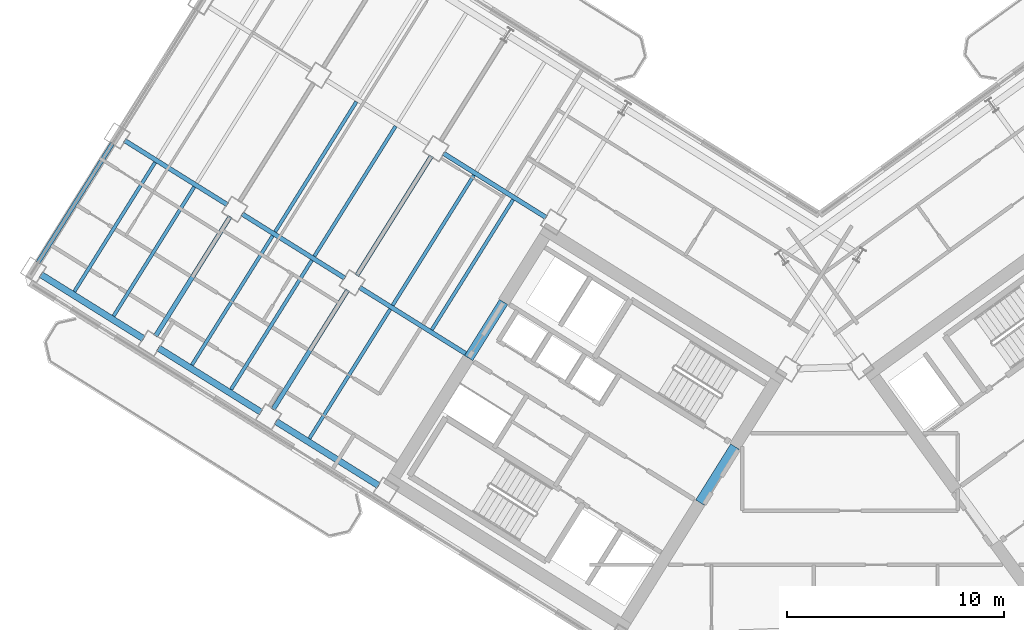
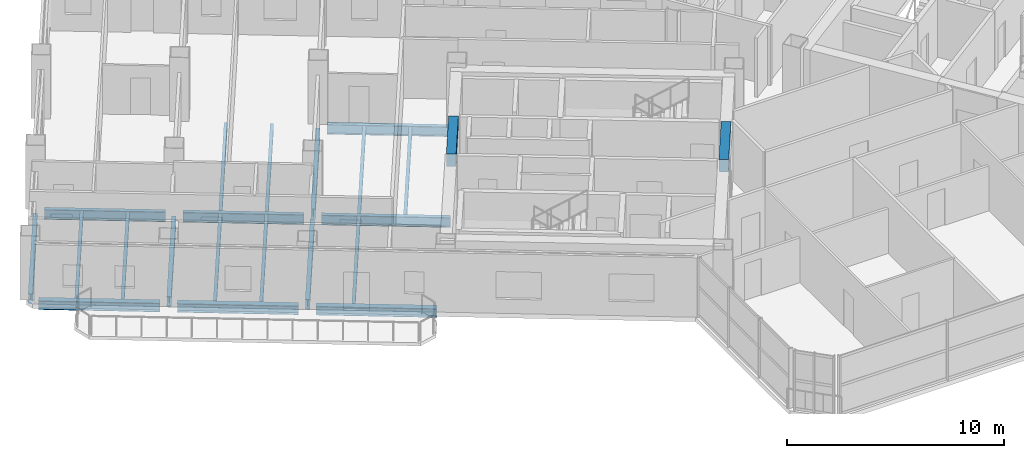
# One storey, part 5 of 21: 22 beams.
"""IFC4 building model written with IfcOpenShell, lengths in metres."""

from ifc_helpers import new_model, si_unit, direction, frame, origin, origin_2d, place, context, subcontext, project, spatial, rectangle, i_section, extrude, source, transform, mapped, material, material_profile, profile_set, type_object, element, save


model = new_model("IFC4")

# Units and contexts
model_context = context("Model", 3, precision=1e-05, world=origin(), true_north=direction((0.0, 1.0)))
body_context = subcontext(model_context, "Body", "Model", "MODEL_VIEW")
ifc_project = project(units=[si_unit("LENGTHUNIT", "METRE"), si_unit("AREAUNIT", "SQUARE_METRE"), si_unit("VOLUMEUNIT", "CUBIC_METRE"), si_unit("PLANEANGLEUNIT", "RADIAN"), si_unit("MASSUNIT", "GRAM", prefix="KILO")], contexts=[model_context])

# Site, building, storey
site_placement = place(None, origin())
site = spatial("IfcSite", under=ifc_project, at=site_placement, CompositionType="ELEMENT")
building_placement = place(site_placement, origin())
building = spatial("IfcBuilding", under=site, at=building_placement, Name="Tlacorven Tower", CompositionType="ELEMENT")
storey_placement = place(building_placement, frame((0.0, 0.0, 105.300048828125)))
storey = spatial("IfcBuildingStorey", under=building, at=storey_placement, Name="L26", CompositionType="ELEMENT", Elevation=105.300048828125)

# Beams
ifc_material_1 = material(Name="Concrete C60/75", Category="concrete")
ifc_material_profile_1 = material_profile(ifc_material_1, rectangle(XDim=0.449951171875, YDim=0.699951171875, at=origin_2d()), Name="RC 450X700")
ifc_profile_set_1 = profile_set([ifc_material_profile_1], Name="Concrete C60/75")
beam_type_1 = type_object("IfcBeamType", Name="BM-LNT-700", PredefinedType="LINTEL", material=ifc_profile_set_1)
shared_shape_1 = source(origin(), body_context, "Body", "SweptSolid", [
    extrude(rectangle(XDim=0.449951171875, YDim=0.699951171875, at=origin_2d()), origin(), (0.0, 0.0, 1.0), 3.050048828125),
])
beam_1_placement = place(storey_placement, frame((38.2998046875, 20.890625, 3.0), z_axis=(-0.529984549635, -0.848007297815, 0.0), x_axis=(0.848007297815, -0.529984549635, 0.0)))
element("IfcBeam", 1, at=beam_1_placement, inside=storey, type_object=beam_type_1, Name="L26 W core coupling lintel beam E1", PredefinedType="LINTEL", context=body_context, shape_type="MappedRepresentation", body=[
    mapped(shared_shape_1, transform((0.0, 0.0, 0.0), scale=1.0)),
])
shared_shape_2 = source(origin(), body_context, "Body", "SweptSolid", [
    extrude(rectangle(XDim=0.449951171875, YDim=0.699951171875, at=origin_2d()), origin(), (0.0, 0.0, 1.0), 3.0498046875),
])
beam_2_placement = place(storey_placement, frame((27.622802734375, 27.562255859375, 3.0), z_axis=(-0.529926983584, -0.848043272522, 0.0), x_axis=(0.848043272522, -0.529926983584, 0.0)))
element("IfcBeam", 2, at=beam_2_placement, inside=storey, type_object=beam_type_1, Name="L26 W core coupling lintel beam E2", PredefinedType="LINTEL", context=body_context, shape_type="MappedRepresentation", body=[
    mapped(shared_shape_2, transform((0.0, 0.0, 0.0), scale=1.0)),
])
ifc_material_2 = material(Name="Steel S355J2", Category="steel")
ifc_material_profile_2 = material_profile(ifc_material_2, i_section(OverallWidth=0.2099609375, OverallDepth=0.550048828125, WebThickness=0.010986328125, FlangeThickness=0.01708984375, at=origin_2d()), Name="IPE 550")
ifc_profile_set_2 = profile_set([ifc_material_profile_2], Name="Steel S355J2")
beam_type_2 = type_object("IfcBeamType", Name="BM-TWR-550", PredefinedType="BEAM", material=ifc_profile_set_2)
shared_shape_3 = source(origin(), body_context, "Body", "SweptSolid", [
    extrude(i_section(OverallWidth=0.2099609375, OverallDepth=0.550048828125, WebThickness=0.010986328125, FlangeThickness=0.01708984375, at=origin_2d()), origin(), (0.0, 0.0, 1.0), 5.599853515625),
])
for number, where, z_axis, x_axis, name in (
    (3, (29.588623046875, 31.46337890625, -0.525146484375), (-0.848047285686, 0.529920561254, 0.0), (-0.529920561254, -0.848047285686, 0.0), "L26 beam BM-L26-WL2-3"),
    (4, (20.292724609375, 28.6640625, -0.525146484375), (-0.848047285686, 0.529920561254, 0.0), (-0.529920561254, -0.848047285686, 0.0), "L26 beam BM-L26-WL3-4"),
):
    element("IfcBeam", number, at=place(storey_placement, frame(where, z_axis=z_axis, x_axis=x_axis)), inside=storey, type_object=beam_type_2, Name=name, PredefinedType="BEAM", context=body_context, shape_type="MappedRepresentation", body=[
        mapped(shared_shape_3, transform((0.0, 0.0, 0.0), scale=1.0)),
    ])
shared_shape_4 = source(origin(), body_context, "Body", "SweptSolid", [
    extrude(i_section(OverallWidth=0.2099609375, OverallDepth=0.550048828125, WebThickness=0.010986328125, FlangeThickness=0.01708984375, at=origin_2d()), origin(), (0.0, 0.0, 1.0), 5.960205078125),
])
beam_3_placement = place(storey_placement, frame((26.025634765625, 25.081787109375, -0.525146484375), z_axis=(-0.848042024898, 0.529928980153, 0.0), x_axis=(-0.529928980153, -0.848042024898, 0.0)))
element("IfcBeam", 5, at=beam_3_placement, inside=storey, type_object=beam_type_2, Name="L26 beam BM-L26-WL3-3", PredefinedType="BEAM", context=body_context, shape_type="MappedRepresentation", body=[
    mapped(shared_shape_4, transform((0.0, 0.0, 0.0), scale=1.0)),
])
shared_shape_5 = source(origin(), body_context, "Body", "SweptSolid", [
    extrude(i_section(OverallWidth=0.2099609375, OverallDepth=0.550048828125, WebThickness=0.010986328125, FlangeThickness=0.01708984375, at=origin_2d()), origin(), (0.0, 0.0, 1.0), 5.60009765625),
])
beam_4_placement = place(storey_placement, frame((14.865234375, 32.055419921875, -0.525146484375), z_axis=(-0.848027693204, 0.529951914384, 0.0), x_axis=(-0.529951914384, -0.848027693204, 0.0)))
element("IfcBeam", 6, at=beam_4_placement, inside=storey, type_object=beam_type_2, Name="L26 beam BM-L26-WL3-5", PredefinedType="BEAM", context=body_context, shape_type="MappedRepresentation", body=[
    mapped(shared_shape_5, transform((0.0, 0.0, 0.0), scale=1.0)),
])
ifc_material_profile_3 = material_profile(ifc_material_2, i_section(OverallWidth=0.300048828125, OverallDepth=0.489990234375, WebThickness=0.011962890625, FlangeThickness=0.02294921875, at=origin_2d()), Name="HEA 500")
ifc_profile_set_3 = profile_set([ifc_material_profile_3], Name="Steel S355J2")
beam_type_3 = type_object("IfcBeamType", Name="BM-SPN-500", PredefinedType="SPANDREL", material=ifc_profile_set_3)
shared_shape_6 = source(origin(), body_context, "Body", "SweptSolid", [
    extrude(i_section(OverallWidth=0.300048828125, OverallDepth=0.489990234375, WebThickness=0.011962890625, FlangeThickness=0.02294921875, at=origin_2d()), origin(), (0.0, 0.0, 1.0), 5.599853515625),
])
for number, where, z_axis, x_axis, name in (
    (7, (21.851806640625, 19.081787109375, -0.4951171875), (-0.848047285686, 0.529920561254, 0.0), (-0.529920561254, -0.848047285686, 0.0), "L26 beam BM-L26-WL4-3"),
    (8, (16.42431640625, 22.473388671875, -0.4951171875), (-0.848047285686, 0.529920561254, 0.0), (-0.529920561254, -0.848047285686, 0.0), "L26 beam BM-L26-WL4-4"),
    (9, (10.996826171875, 25.86474609375, -0.4951171875), (-0.848047285686, 0.529920561254, 0.0), (-0.529920561254, -0.848047285686, 0.0), "L26 beam BM-L26-WL4-5"),
):
    element("IfcBeam", number, at=place(storey_placement, frame(where, z_axis=z_axis, x_axis=x_axis)), inside=storey, type_object=beam_type_3, Name=name, PredefinedType="SPANDREL", context=body_context, shape_type="MappedRepresentation", body=[
        mapped(shared_shape_6, transform((0.0, 0.0, 0.0), scale=1.0)),
    ])
shared_shape_7 = source(origin(), body_context, "Body", "SweptSolid", [
    extrude(i_section(OverallWidth=0.2099609375, OverallDepth=0.550048828125, WebThickness=0.010986328125, FlangeThickness=0.01708984375, at=origin_2d()), origin(), (0.0, 0.0, 1.0), 6.500244140625),
])
beam_5_placement = place(storey_placement, frame((24.28857421875, 34.3037109375, -0.525146484375), z_axis=(-0.529921287515, -0.848046831866, 0.0), x_axis=(0.848046831866, -0.529921287515, 0.0)))
element("IfcBeam", 10, at=beam_5_placement, inside=storey, type_object=beam_type_2, Name="L26 beam BM-L26-WT4-2", PredefinedType="BEAM", context=body_context, shape_type="MappedRepresentation", body=[
    mapped(shared_shape_7, transform((0.0, 0.0, 0.0), scale=1.0)),
])
shared_shape_8 = source(origin(), body_context, "Body", "SweptSolid", [
    extrude(i_section(OverallWidth=0.2099609375, OverallDepth=0.550048828125, WebThickness=0.010986328125, FlangeThickness=0.01708984375, at=origin_2d()), origin(), (0.0, 0.0, 1.0), 6.5),
])
for number, where, z_axis, x_axis, name in (
    (11, (20.420166015625, 28.11279296875, -0.525146484375), (-0.529938166933, -0.848036284146, 0.0), (0.848036284146, -0.529938166933, 0.0), "L26 beam BM-L26-WT4-3"),
    (12, (14.992431640625, 31.50439453125, -0.525146484375), (-0.529894274829, -0.848063710757, 0.0), (0.848063710757, -0.529894274829, 0.0), "L26 beam BM-L26-WT5-3"),
):
    element("IfcBeam", number, at=place(storey_placement, frame(where, z_axis=z_axis, x_axis=x_axis)), inside=storey, type_object=beam_type_2, Name=name, PredefinedType="BEAM", context=body_context, shape_type="MappedRepresentation", body=[
        mapped(shared_shape_8, transform((0.0, 0.0, 0.0), scale=1.0)),
    ])
shared_shape_9 = source(origin(), body_context, "Body", "SweptSolid", [
    extrude(i_section(OverallWidth=0.2099609375, OverallDepth=0.550048828125, WebThickness=0.010986328125, FlangeThickness=0.01708984375, at=origin_2d()), origin(), (0.0, 0.0, 1.0), 6.499755859375),
])
beam_6_placement = place(storey_placement, frame((9.56494140625, 34.895751953125, -0.525146484375), z_axis=(-0.529911154058, -0.848053163902, 0.0), x_axis=(0.848053163902, -0.529911154058, 0.0)))
element("IfcBeam", 13, at=beam_6_placement, inside=storey, type_object=beam_type_2, Name="L26 beam BM-L26-WT6-3", PredefinedType="BEAM", context=body_context, shape_type="MappedRepresentation", body=[
    mapped(shared_shape_9, transform((0.0, 0.0, 0.0), scale=1.0)),
])
ifc_material_profile_4 = material_profile(ifc_material_2, i_section(OverallWidth=0.159912109375, OverallDepth=0.330078125, WebThickness=0.007568359375, FlangeThickness=0.011474609375, at=origin_2d()), Name="IPE 330")
ifc_profile_set_4 = profile_set([ifc_material_profile_4], Name="Steel S355J2")
beam_type_4 = type_object("IfcBeamType", Name="BM-JST-330", PredefinedType="JOIST", material=ifc_profile_set_4)
shared_shape_10 = source(origin(), body_context, "Body", "SweptSolid", [
    extrude(i_section(OverallWidth=0.159912109375, OverallDepth=0.330078125, WebThickness=0.007568359375, FlangeThickness=0.011474609375, at=origin_2d()), origin(), (0.0, 0.0, 1.0), 7.080078125),
])
for number, where, z_axis, x_axis, name in (
    (14, (28.060546875, 32.28857421875, -0.4150390625), (-0.529933847046, -0.848038983629, 0.0), (0.848038983629, -0.529933847046, 0.0), "L26 beam BM-L26-WJ3-2-1"),
    (15, (26.251220703125, 33.419189453125, -0.4150390625), (-0.529893550998, -0.848064163027, 0.0), (0.848064163027, -0.529893550998, 0.0), "L26 beam BM-L26-WJ3-2-2"),
    (16, (22.633056640625, 35.679931640625, -0.4150390625), (-0.529933847046, -0.848038983629, 0.0), (0.848038983629, -0.529933847046, 0.0), "L26 beam BM-L26-WJ4-2-1"),
):
    element("IfcBeam", number, at=place(storey_placement, frame(where, z_axis=z_axis, x_axis=x_axis)), inside=storey, type_object=beam_type_4, Name=name, PredefinedType="JOIST", context=body_context, shape_type="MappedRepresentation", body=[
        mapped(shared_shape_10, transform((0.0, 0.0, 0.0), scale=1.0)),
    ])
shared_shape_11 = source(origin(), body_context, "Body", "SweptSolid", [
    extrude(i_section(OverallWidth=0.159912109375, OverallDepth=0.330078125, WebThickness=0.007568359375, FlangeThickness=0.011474609375, at=origin_2d()), origin(), (0.0, 0.0, 1.0), 7.03515625),
])
for number, where, z_axis, x_axis, name in (
    (17, (22.3828125, 27.228271484375, -0.4150390625), (-0.529920952588, -0.848047041153, 0.0), (0.848047041153, -0.529920952588, 0.0), "L26 beam BM-L26-WJ3-3-2"),
    (18, (18.7646484375, 29.4892578125, -0.4150390625), (-0.529920952588, -0.848047041153, 0.0), (0.848047041153, -0.529920952588, 0.0), "L26 beam BM-L26-WJ4-3-1"),
    (19, (16.955322265625, 30.619873046875, -0.4150390625), (-0.529920952588, -0.848047041153, 0.0), (0.848047041153, -0.529920952588, 0.0), "L26 beam BM-L26-WJ4-3-2"),
    (20, (13.337158203125, 32.880859375, -0.4150390625), (-0.529920952588, -0.848047041153, 0.0), (0.848047041153, -0.529920952588, 0.0), "L26 beam BM-L26-WJ5-3-1"),
    (21, (11.52783203125, 34.01123046875, -0.4150390625), (-0.529920952588, -0.848047041153, 0.0), (0.848047041153, -0.529920952588, 0.0), "L26 beam BM-L26-WJ5-3-2"),
):
    element("IfcBeam", number, at=place(storey_placement, frame(where, z_axis=z_axis, x_axis=x_axis)), inside=storey, type_object=beam_type_4, Name=name, PredefinedType="JOIST", context=body_context, shape_type="MappedRepresentation", body=[
        mapped(shared_shape_11, transform((0.0, 0.0, 0.0), scale=1.0)),
    ])
shared_shape_12 = source(origin(), body_context, "Body", "SweptSolid", [
    extrude(i_section(OverallWidth=0.159912109375, OverallDepth=0.330078125, WebThickness=0.007568359375, FlangeThickness=0.011474609375, at=origin_2d()), origin(), (0.0, 0.0, 1.0), 7.079833984375),
])
beam_7_placement = place(storey_placement, frame((20.82373046875, 36.810546875, -0.4150390625), z_axis=(-0.529909047265, -0.848054480341, 0.0), x_axis=(0.848054480341, -0.529909047265, 0.0)))
element("IfcBeam", 22, at=beam_7_placement, inside=storey, type_object=beam_type_4, Name="L26 beam BM-L26-WJ4-2-2", PredefinedType="JOIST", context=body_context, shape_type="MappedRepresentation", body=[
    mapped(shared_shape_12, transform((0.0, 0.0, 0.0), scale=1.0)),
])

save(model, "model.ifc")
